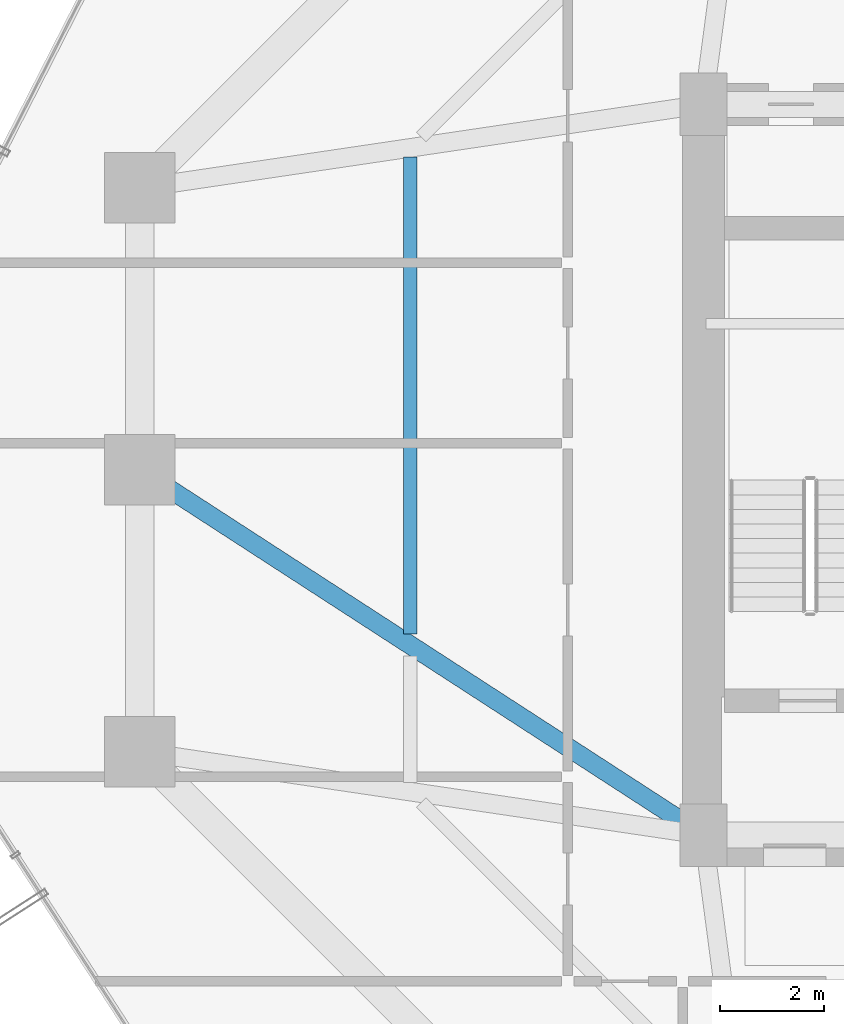
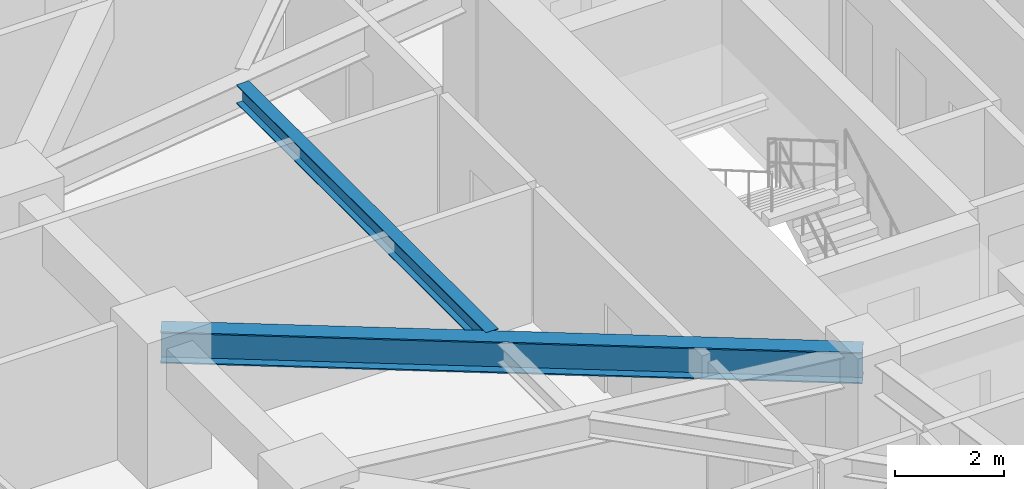
# One storey, part 11 of 37: 2 beams.
"""IFC4 building model written with IfcOpenShell, lengths in metres."""

import ifcopenshell
import ifcopenshell.guid

model = None  # the IFC model being written
_history = None  # IfcOwnerHistory: only IFC2X3 demands one
_inside = {}  # id of a spatial element -> (the spatial element, [elements in it])
_under = {}  # id of a project, library or spatial element -> (it, [spatial elements below it])
_declared = {}  # id of a project -> (the project, [libraries it declares])
_typed = {}  # id of a type object -> (the type object, [elements of that type])
_made_of = {}  # id of a material, layer set ... -> (it, [elements and type objects made of it])


def new_model(schema):
    """Start an empty IFC model of exactly this schema.

    Asked for "IFC4X3", IfcOpenShell would pick the latest addendum, in which some entities
    have other attributes; the version numbers below select the first issue.
    IFC2X3 requires an IfcOwnerHistory on every rooted entity: one is made here for all.
    """
    global model, _history
    if schema == "IFC4X3":
        model = ifcopenshell.file(schema_version=(4, 3, 0, 0))
    else:
        model = ifcopenshell.file(schema=schema)
    _inside.clear()
    _under.clear()
    _declared.clear()
    _typed.clear()
    _made_of.clear()
    _history = None
    if model.schema == "IFC2X3":
        org = make("IfcOrganization", Name="unknown")
        user = make(
            "IfcPersonAndOrganization",
            ThePerson=make("IfcPerson", FamilyName="unknown"),
            TheOrganization=org,
        )
        app = make(
            "IfcApplication",
            ApplicationDeveloper=org,
            Version="unknown",
            ApplicationFullName="unknown",
            ApplicationIdentifier="unknown",
        )
        _history = make(
            "IfcOwnerHistory",
            OwningUser=user,
            OwningApplication=app,
            ChangeAction="ADDED",
            CreationDate=0,
        )
    return model


def make(cls, **values):
    """One entity of the class cls with the attributes given. An attribute that is None is left unset."""
    return model.create_entity(
        cls, **{name: value for name, value in values.items() if value is not None}
    )


def rooted(cls, **values):
    """An entity with a GlobalId (a new one), such as an element, a storey or a relation."""
    return make(cls, GlobalId=ifcopenshell.guid.new(), OwnerHistory=_history, **values)


def si_unit(unit_type, name, prefix=None):
    """IfcSIUnit, for example si_unit("LENGTHUNIT", "METRE", prefix="MILLI")."""
    return make("IfcSIUnit", UnitType=unit_type, Prefix=prefix, Name=name)


def assignment(units):
    """IfcUnitAssignment: the units of a project."""
    return None if units is None else make("IfcUnitAssignment", Units=units)


def point(xyz):
    """IfcCartesianPoint."""
    return None if xyz is None else make("IfcCartesianPoint", Coordinates=xyz)


def direction(xyz):
    """IfcDirection."""
    return None if xyz is None else make("IfcDirection", DirectionRatios=xyz)


def frame(location, z_axis=None, x_axis=None):
    """IfcAxis2Placement3D, a coordinate frame: its origin and axes. An axis left out is left unset."""
    return make(
        "IfcAxis2Placement3D",
        Location=point(location),
        Axis=direction(z_axis),
        RefDirection=direction(x_axis),
    )


def frame_2d(location, x_axis=None):
    """IfcAxis2Placement2D, a coordinate frame in the plane: its origin and x axis."""
    return make(
        "IfcAxis2Placement2D", Location=point(location), RefDirection=direction(x_axis)
    )


def origin():
    """The frame at (0, 0, 0) with its axes left unset."""
    return frame((0.0, 0.0, 0.0))


def origin_2d():
    """The frame at (0, 0) in the plane with its x axis left unset."""
    return frame_2d((0.0, 0.0))


def place(relative_to, where):
    """IfcLocalPlacement: puts the frame where relative to a parent placement (None: the world)."""
    return make(
        "IfcLocalPlacement", PlacementRelTo=relative_to, RelativePlacement=where
    )


def context(
    kind, dimensions, precision=None, world=None, true_north=None, identifier=None
):
    """IfcGeometricRepresentationContext, for example the 3D "Model" context."""
    return make(
        "IfcGeometricRepresentationContext",
        ContextIdentifier=identifier,
        ContextType=kind,
        CoordinateSpaceDimension=dimensions,
        Precision=precision,
        WorldCoordinateSystem=world,
        TrueNorth=true_north,
    )


def subcontext(parent, identifier, kind, view, scale=None):
    """IfcGeometricRepresentationSubContext, for example "Body" below "Model"."""
    return make(
        "IfcGeometricRepresentationSubContext",
        ContextIdentifier=identifier,
        ContextType=kind,
        ParentContext=parent,
        TargetScale=scale,
        TargetView=view,
    )


def project(units=None, contexts=None):
    """IfcProject with its units and contexts."""
    return rooted(
        "IfcProject",
        Name="project",
        RepresentationContexts=contexts,
        UnitsInContext=assignment(units),
    )


def spatial(cls, under=None, at=None, **own):
    """A site, building, storey or space (cls), placed at a placement, below another one or the project."""
    s = rooted(cls, ObjectPlacement=at, **own)
    if under is not None:
        _under.setdefault(under.id(), (under, []))[1].append(s)
    return s


def profile(cls, at=None, kind="AREA", **sizes):
    """A parametric profile (cls). Its sizes go by their IFC names, for example OverallWidth=200.0."""
    return make(cls, ProfileType=kind, Position=at, **sizes)


def i_section(**sizes):
    """IfcIShapeProfileDef."""
    return profile("IfcIShapeProfileDef", **sizes)


def extrude(swept, where, along, depth):
    """IfcExtrudedAreaSolid: the profile swept, set in the frame where, extruded along a direction by depth."""
    return make(
        "IfcExtrudedAreaSolid",
        SweptArea=swept,
        Position=where,
        ExtrudedDirection=direction(along),
        Depth=depth,
    )


def shape(context_of_items, identifier, shape_type, items):
    """IfcShapeRepresentation: the items that make up one representation, for example the "Body"."""
    return make(
        "IfcShapeRepresentation",
        ContextOfItems=context_of_items,
        RepresentationIdentifier=identifier,
        RepresentationType=shape_type,
        Items=items,
    )


def material(Name=None, Category=None):
    """IfcMaterial."""
    return make("IfcMaterial", Name=Name, Category=Category)


def material_profile(
    of_material, cross_section, Name=None, Category=None, Priority=None
):
    """IfcMaterialProfile: a cross section and its material."""
    return make(
        "IfcMaterialProfile",
        Name=Name,
        Material=of_material,
        Profile=cross_section,
        Priority=Priority,
        Category=Category,
    )


def profile_set(profiles, Name=None, composite=None):
    """IfcMaterialProfileSet."""
    return make(
        "IfcMaterialProfileSet",
        Name=Name,
        MaterialProfiles=profiles,
        CompositeProfile=composite,
    )


def made_of(thing, what):
    """Note that an element or type object is made of a material, layer set ...; save() writes the relation."""
    if what is not None:
        _made_of.setdefault(what.id(), (what, []))[1].append(thing)
    return thing


def type_object(cls, material=None, **own):
    """A type object (cls), such as IfcWallType, which elements share."""
    return made_of(rooted(cls, **own), material)


def element(
    cls,
    number,
    at=None,
    inside=None,
    cuts=None,
    type_object=None,
    material=None,
    context=None,
    identifier="Body",
    shape_type=None,
    held_by="IfcProductDefinitionShape",
    body=None,
    shapes=None,
    **own,
):
    """One element of the class cls, such as IfcWall. Its Tag is "e" and its number.

    at: its placement. inside: the storey or other place that contains it. cuts: it is an
    opening in that element (IfcRelVoidsElement). A single representation is given by context,
    identifier, shape_type and body (its items); several are given by shapes. held_by: the class
    of the entity that holds the representations. save() writes the other relations.
    """
    e = rooted(cls, Tag="e%d" % number, ObjectPlacement=at, **own)
    if body is not None:
        shapes = [shape(context, identifier, shape_type, body)]
    if shapes is not None:
        e.Representation = make(held_by, Representations=shapes)
    if inside is not None:
        _inside.setdefault(inside.id(), (inside, []))[1].append(e)
    if cuts is not None:
        rooted(
            "IfcRelVoidsElement", RelatingBuildingElement=cuts, RelatedOpeningElement=e
        )
    if type_object is not None:
        _typed.setdefault(type_object.id(), (type_object, []))[1].append(e)
    return made_of(e, material)


def aggregate(whole, parts):
    """IfcRelAggregates: a whole, such as a stair, and the parts it consists of."""
    return rooted("IfcRelAggregates", RelatingObject=whole, RelatedObjects=parts)


def save(model, path):
    """Write the relations noted so far, then the file.

    IfcRelAggregates (storeys below a building ...), IfcRelContainedInSpatialStructure (elements
    in a storey), IfcRelDefinesByType, IfcRelAssociatesMaterial and IfcRelDeclares: one each for
    every whole, place, type object, material and project.
    """
    for whole, parts in _under.values():
        aggregate(whole, parts)
    for where, things in _inside.values():
        rooted(
            "IfcRelContainedInSpatialStructure",
            RelatedElements=things,
            RelatingStructure=where,
        )
    for kind, things in _typed.values():
        rooted("IfcRelDefinesByType", RelatedObjects=things, RelatingType=kind)
    for what, things in _made_of.values():
        rooted("IfcRelAssociatesMaterial", RelatedObjects=things, RelatingMaterial=what)
    for by, libraries in _declared.values():
        rooted("IfcRelDeclares", RelatingContext=by, RelatedDefinitions=libraries)
    model.write(path)


model = new_model("IFC4")

# Units and contexts
model_context = context("Model", 3, precision=1e-05, world=origin(), true_north=direction((0.0, 1.0)))
body_context = subcontext(model_context, "Body", "Model", "MODEL_VIEW")
ifc_project = project(units=[si_unit("LENGTHUNIT", "METRE"), si_unit("AREAUNIT", "SQUARE_METRE"), si_unit("VOLUMEUNIT", "CUBIC_METRE"), si_unit("PLANEANGLEUNIT", "RADIAN"), si_unit("MASSUNIT", "GRAM", prefix="KILO")], contexts=[model_context])

# Site, building, storey
site_placement = place(None, origin())
site = spatial("IfcSite", under=ifc_project, at=site_placement, CompositionType="ELEMENT")
building_placement = place(site_placement, origin())
building = spatial("IfcBuilding", under=site, at=building_placement, Name="Veraguas Prism Commons", CompositionType="ELEMENT")
storey_placement = place(building_placement, frame((0.0, 0.0, 33.800048828125)))
storey = spatial("IfcBuildingStorey", under=building, at=storey_placement, Name="L08", CompositionType="ELEMENT", Elevation=33.800048828125)

# Beams
ifc_material = material(Name="Steel ASTM A992 Grade 50", Category="steel")
ifc_material_profile_1 = material_profile(ifc_material, i_section(OverallWidth=0.260986328125, OverallDepth=0.419921875, WebThickness=0.01171875, FlangeThickness=0.019287109375, at=origin_2d()), Name="W410X114")
ifc_profile_set_1 = profile_set([ifc_material_profile_1], Name="Steel ASTM A992 Grade 50")
beam_type_1 = type_object("IfcBeamType", Name="Lower Floor Joist W410x114", PredefinedType="JOIST", material=ifc_profile_set_1)
beam_1_placement = place(storey_placement, frame((11.583984375, 29.989990234375, 2.7900390625), z_axis=(0.0, -1.0, 0.0), x_axis=(1.0, 0.0, 0.0)))
element("IfcBeam", 1, at=beam_1_placement, inside=storey, type_object=beam_type_1, Name="Composite Floor Joist L08-JS07", PredefinedType="JOIST", context=body_context, shape_type="SweptSolid", body=[
    extrude(i_section(OverallWidth=0.260986328125, OverallDepth=0.419921875, WebThickness=0.01171875, FlangeThickness=0.019287109375, at=origin_2d()), origin(), (0.0, 0.0, 1.0), 9.140380859375),
])
ifc_material_profile_2 = material_profile(ifc_material, i_section(OverallWidth=0.35595703125, OverallDepth=0.700927734375, WebThickness=0.016845703125, FlangeThickness=0.02734375, at=origin_2d()), Name="W690X240")
ifc_profile_set_2 = profile_set([ifc_material_profile_2], Name="Steel ASTM A992 Grade 50")
beam_type_2 = type_object("IfcBeamType", Name="Zone 1 Radial Girder W690x240", PredefinedType="BEAM", material=ifc_profile_set_2)
beam_2_placement = place(storey_placement, frame((6.39990234375, 24.0, 2.6494140625), z_axis=(0.839154108875, -0.543893722668, 0.0), x_axis=(0.543893722668, 0.839154108875, 0.0)))
element("IfcBeam", 2, at=beam_2_placement, inside=storey, type_object=beam_type_2, Name="Radial Floor Girder L08-RD08", PredefinedType="BEAM", context=body_context, shape_type="SweptSolid", body=[
    extrude(i_section(OverallWidth=0.35595703125, OverallDepth=0.700927734375, WebThickness=0.016845703125, FlangeThickness=0.02734375, at=origin_2d()), origin(), (0.0, 0.0, 1.0), 12.8701171875),
])

save(model, "model.ifc")
